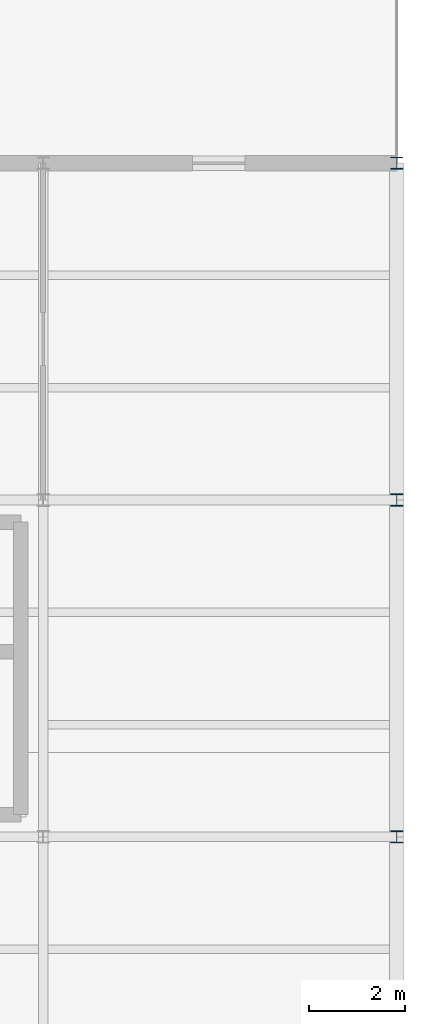
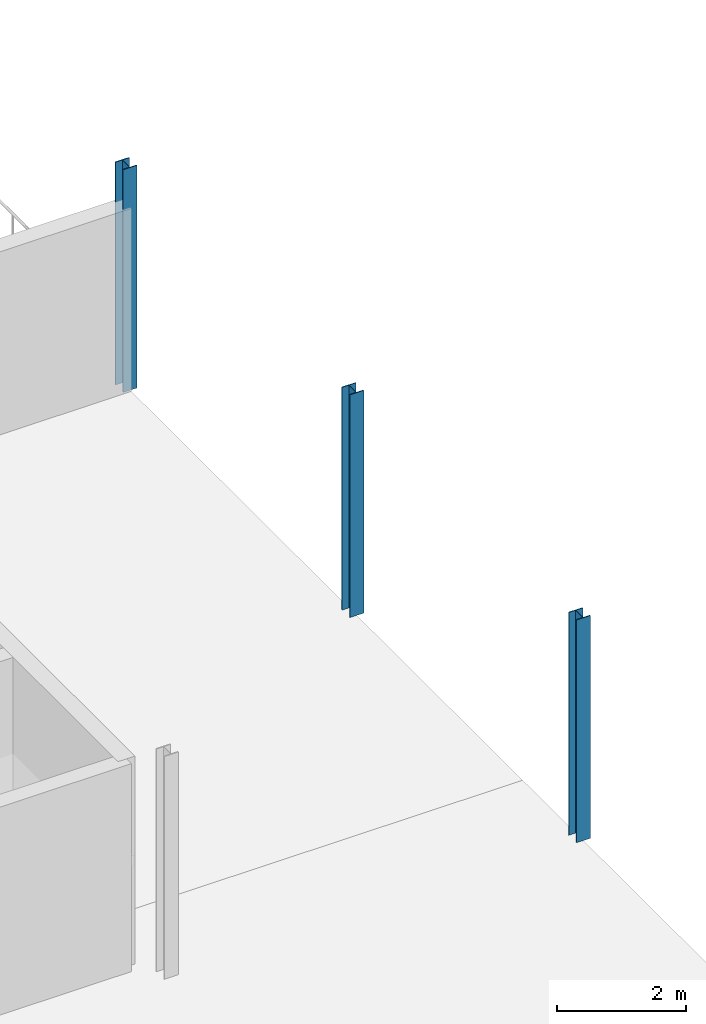
# One storey, part 5 of 9: 3 columns.
"""IFC4 building model written with IfcOpenShell, lengths in metres."""

from ifc_helpers import new_model, si_unit, direction, frame, origin, origin_2d, place, context, subcontext, project, spatial, i_section, extrude, material, material_profile, profile_set, type_object, element, save


model = new_model("IFC4")

# Units and contexts
model_context = context("Model", 3, precision=1e-05, world=origin(), true_north=direction((0.0, 1.0)))
body_context = subcontext(model_context, "Body", "Model", "MODEL_VIEW")
ifc_project = project(units=[si_unit("LENGTHUNIT", "METRE"), si_unit("AREAUNIT", "SQUARE_METRE"), si_unit("VOLUMEUNIT", "CUBIC_METRE"), si_unit("PLANEANGLEUNIT", "RADIAN"), si_unit("MASSUNIT", "GRAM", prefix="KILO")], contexts=[model_context])

# Site, building, storey
site_placement = place(None, origin())
site = spatial("IfcSite", under=ifc_project, at=site_placement, CompositionType="ELEMENT")
building_placement = place(site_placement, origin())
building = spatial("IfcBuilding", under=site, at=building_placement, Name="Kazenagashi Tramway Depot", CompositionType="ELEMENT")
storey_placement = place(building_placement, frame((0.0, 0.0, 15.3)))
storey = spatial("IfcBuildingStorey", under=building, at=storey_placement, Name="L04", CompositionType="ELEMENT", Elevation=15.3)

# Columns
ifc_material = material(Name="Steel SN490B", Category="steel")
ifc_material_profile = material_profile(ifc_material, i_section(OverallWidth=0.25, OverallDepth=0.25, WebThickness=0.009, FlangeThickness=0.014, at=origin_2d()), Name="H-250x250x9x14")
ifc_profile_set = profile_set([ifc_material_profile], Name="Steel SN490B")
column_type = type_object("IfcColumnType", Name="C-06", PredefinedType="COLUMN", material=ifc_profile_set)
for number, where, z_axis, x_axis, name in (
    (1, (36.75, 35.0, 0.0), (0.0, 0.0, 1.0), (1.0, 0.0, 0.0), "Column C-06 COL-0771"),
    (2, (36.75, 42.0, 0.0), (0.0, 0.0, 1.0), (1.0, 0.0, 0.0), "Column C-06 COL-0775"),
    (3, (36.75, 49.0, 0.0), (0.0, 0.0, 1.0), (1.0, 0.0, 0.0), "Column C-06 COL-0779"),
):
    element("IfcColumn", number, at=place(storey_placement, frame(where, z_axis=z_axis, x_axis=x_axis)), inside=storey, type_object=column_type, Name=name, PredefinedType="COLUMN", context=body_context, shape_type="SweptSolid", body=[
        extrude(i_section(OverallWidth=0.25, OverallDepth=0.25, WebThickness=0.009, FlangeThickness=0.014, at=origin_2d()), origin(), (0.0, 0.0, 1.0), 4.2),
    ])

save(model, "model.ifc")
